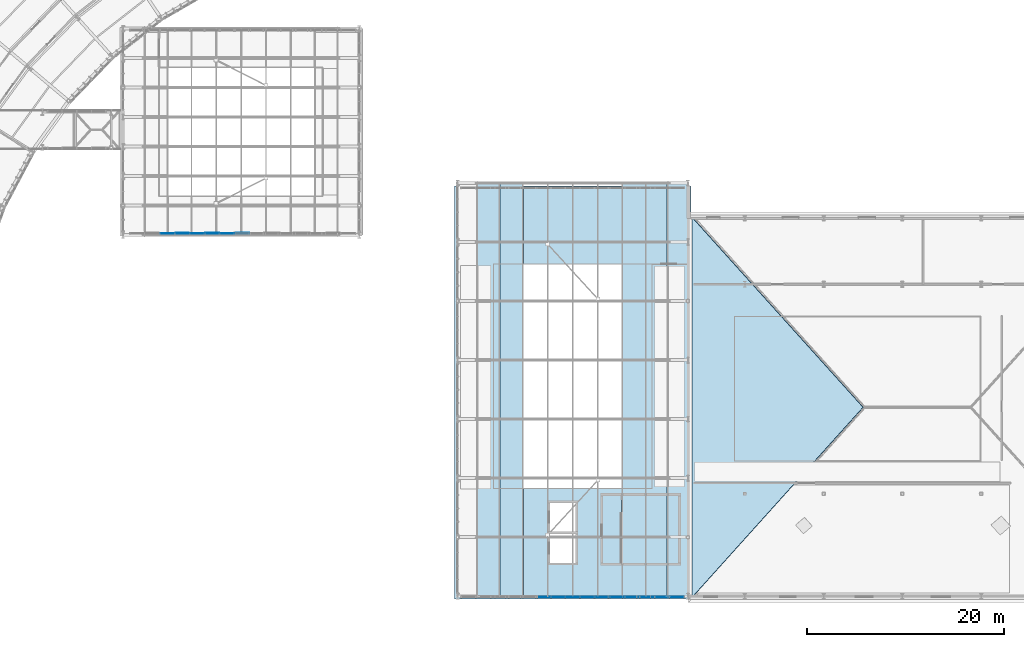
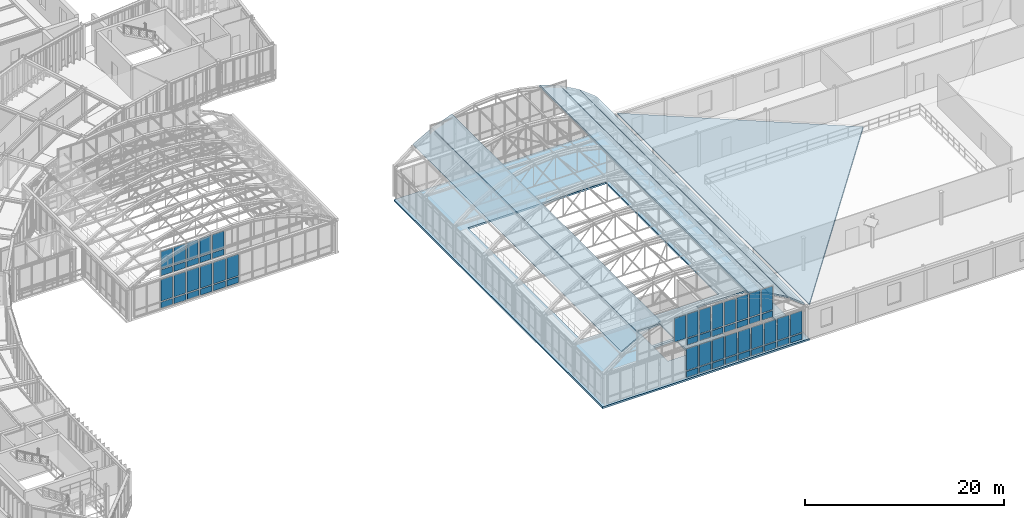
# One storey, part 98 of 148: 55 plates, 7 slabs, 4 elements without a shape of their own.
"""IFC4 building model written with IfcOpenShell, lengths in metres."""

import ifcopenshell
import ifcopenshell.guid

model = None  # the IFC model being written
_history = None  # IfcOwnerHistory: only IFC2X3 demands one
_inside = {}  # id of a spatial element -> (the spatial element, [elements in it])
_under = {}  # id of a project, library or spatial element -> (it, [spatial elements below it])
_declared = {}  # id of a project -> (the project, [libraries it declares])
_typed = {}  # id of a type object -> (the type object, [elements of that type])
_made_of = {}  # id of a material, layer set ... -> (it, [elements and type objects made of it])


def new_model(schema):
    """Start an empty IFC model of exactly this schema.

    Asked for "IFC4X3", IfcOpenShell would pick the latest addendum, in which some entities
    have other attributes; the version numbers below select the first issue.
    IFC2X3 requires an IfcOwnerHistory on every rooted entity: one is made here for all.
    """
    global model, _history
    if schema == "IFC4X3":
        model = ifcopenshell.file(schema_version=(4, 3, 0, 0))
    else:
        model = ifcopenshell.file(schema=schema)
    _inside.clear()
    _under.clear()
    _declared.clear()
    _typed.clear()
    _made_of.clear()
    _history = None
    if model.schema == "IFC2X3":
        org = make("IfcOrganization", Name="unknown")
        user = make(
            "IfcPersonAndOrganization",
            ThePerson=make("IfcPerson", FamilyName="unknown"),
            TheOrganization=org,
        )
        app = make(
            "IfcApplication",
            ApplicationDeveloper=org,
            Version="unknown",
            ApplicationFullName="unknown",
            ApplicationIdentifier="unknown",
        )
        _history = make(
            "IfcOwnerHistory",
            OwningUser=user,
            OwningApplication=app,
            ChangeAction="ADDED",
            CreationDate=0,
        )
    return model


def make(cls, **values):
    """One entity of the class cls with the attributes given. An attribute that is None is left unset."""
    return model.create_entity(
        cls, **{name: value for name, value in values.items() if value is not None}
    )


def rooted(cls, **values):
    """An entity with a GlobalId (a new one), such as an element, a storey or a relation."""
    return make(cls, GlobalId=ifcopenshell.guid.new(), OwnerHistory=_history, **values)


def si_unit(unit_type, name, prefix=None):
    """IfcSIUnit, for example si_unit("LENGTHUNIT", "METRE", prefix="MILLI")."""
    return make("IfcSIUnit", UnitType=unit_type, Prefix=prefix, Name=name)


def assignment(units):
    """IfcUnitAssignment: the units of a project."""
    return None if units is None else make("IfcUnitAssignment", Units=units)


def point(xyz):
    """IfcCartesianPoint."""
    return None if xyz is None else make("IfcCartesianPoint", Coordinates=xyz)


def direction(xyz):
    """IfcDirection."""
    return None if xyz is None else make("IfcDirection", DirectionRatios=xyz)


def frame(location, z_axis=None, x_axis=None):
    """IfcAxis2Placement3D, a coordinate frame: its origin and axes. An axis left out is left unset."""
    return make(
        "IfcAxis2Placement3D",
        Location=point(location),
        Axis=direction(z_axis),
        RefDirection=direction(x_axis),
    )


def frame_2d(location, x_axis=None):
    """IfcAxis2Placement2D, a coordinate frame in the plane: its origin and x axis."""
    return make(
        "IfcAxis2Placement2D", Location=point(location), RefDirection=direction(x_axis)
    )


def origin():
    """The frame at (0, 0, 0) with its axes left unset."""
    return frame((0.0, 0.0, 0.0))


def origin_2d():
    """The frame at (0, 0) in the plane with its x axis left unset."""
    return frame_2d((0.0, 0.0))


def place(relative_to, where):
    """IfcLocalPlacement: puts the frame where relative to a parent placement (None: the world)."""
    return make(
        "IfcLocalPlacement", PlacementRelTo=relative_to, RelativePlacement=where
    )


def context(
    kind, dimensions, precision=None, world=None, true_north=None, identifier=None
):
    """IfcGeometricRepresentationContext, for example the 3D "Model" context."""
    return make(
        "IfcGeometricRepresentationContext",
        ContextIdentifier=identifier,
        ContextType=kind,
        CoordinateSpaceDimension=dimensions,
        Precision=precision,
        WorldCoordinateSystem=world,
        TrueNorth=true_north,
    )


def subcontext(parent, identifier, kind, view, scale=None):
    """IfcGeometricRepresentationSubContext, for example "Body" below "Model"."""
    return make(
        "IfcGeometricRepresentationSubContext",
        ContextIdentifier=identifier,
        ContextType=kind,
        ParentContext=parent,
        TargetScale=scale,
        TargetView=view,
    )


def project(units=None, contexts=None):
    """IfcProject with its units and contexts."""
    return rooted(
        "IfcProject",
        Name="project",
        RepresentationContexts=contexts,
        UnitsInContext=assignment(units),
    )


def spatial(cls, under=None, at=None, **own):
    """A site, building, storey or space (cls), placed at a placement, below another one or the project."""
    s = rooted(cls, ObjectPlacement=at, **own)
    if under is not None:
        _under.setdefault(under.id(), (under, []))[1].append(s)
    return s


def polyline(points):
    """IfcPolyline through the points."""
    return make("IfcPolyline", Points=[point(p) for p in points])


def profile(cls, at=None, kind="AREA", **sizes):
    """A parametric profile (cls). Its sizes go by their IFC names, for example OverallWidth=200.0."""
    return make(cls, ProfileType=kind, Position=at, **sizes)


def rectangle(**sizes):
    """IfcRectangleProfileDef."""
    return profile("IfcRectangleProfileDef", **sizes)


def outline(outer, holes=None, kind="AREA"):
    """IfcArbitraryClosedProfileDef: a profile drawn as a closed curve; with holes, ...WithVoids."""
    if holes is None:
        return make("IfcArbitraryClosedProfileDef", ProfileType=kind, OuterCurve=outer)
    return make(
        "IfcArbitraryProfileDefWithVoids",
        ProfileType=kind,
        OuterCurve=outer,
        InnerCurves=holes,
    )


def extrude(swept, where, along, depth):
    """IfcExtrudedAreaSolid: the profile swept, set in the frame where, extruded along a direction by depth."""
    return make(
        "IfcExtrudedAreaSolid",
        SweptArea=swept,
        Position=where,
        ExtrudedDirection=direction(along),
        Depth=depth,
    )


def shape(context_of_items, identifier, shape_type, items):
    """IfcShapeRepresentation: the items that make up one representation, for example the "Body"."""
    return make(
        "IfcShapeRepresentation",
        ContextOfItems=context_of_items,
        RepresentationIdentifier=identifier,
        RepresentationType=shape_type,
        Items=items,
    )


def material(Name=None, Category=None):
    """IfcMaterial."""
    return make("IfcMaterial", Name=Name, Category=Category)


def layer(
    of_material, thickness, ventilated=None, Name=None, Category=None, Priority=None
):
    """IfcMaterialLayer: one layer of a wall or slab, of a material (None: an air gap)."""
    return make(
        "IfcMaterialLayer",
        Material=of_material,
        LayerThickness=thickness,
        IsVentilated=ventilated,
        Name=Name,
        Category=Category,
        Priority=Priority,
    )


def layer_set(layers, Name=None):
    """IfcMaterialLayerSet."""
    return make("IfcMaterialLayerSet", MaterialLayers=layers, LayerSetName=Name)


def made_of(thing, what):
    """Note that an element or type object is made of a material, layer set ...; save() writes the relation."""
    if what is not None:
        _made_of.setdefault(what.id(), (what, []))[1].append(thing)
    return thing


def type_object(cls, material=None, **own):
    """A type object (cls), such as IfcWallType, which elements share."""
    return made_of(rooted(cls, **own), material)


def element(
    cls,
    number,
    at=None,
    inside=None,
    cuts=None,
    type_object=None,
    material=None,
    context=None,
    identifier="Body",
    shape_type=None,
    held_by="IfcProductDefinitionShape",
    body=None,
    shapes=None,
    **own,
):
    """One element of the class cls, such as IfcWall. Its Tag is "e" and its number.

    at: its placement. inside: the storey or other place that contains it. cuts: it is an
    opening in that element (IfcRelVoidsElement). A single representation is given by context,
    identifier, shape_type and body (its items); several are given by shapes. held_by: the class
    of the entity that holds the representations. save() writes the other relations.
    """
    e = rooted(cls, Tag="e%d" % number, ObjectPlacement=at, **own)
    if body is not None:
        shapes = [shape(context, identifier, shape_type, body)]
    if shapes is not None:
        e.Representation = make(held_by, Representations=shapes)
    if inside is not None:
        _inside.setdefault(inside.id(), (inside, []))[1].append(e)
    if cuts is not None:
        rooted(
            "IfcRelVoidsElement", RelatingBuildingElement=cuts, RelatedOpeningElement=e
        )
    if type_object is not None:
        _typed.setdefault(type_object.id(), (type_object, []))[1].append(e)
    return made_of(e, material)


def aggregate(whole, parts):
    """IfcRelAggregates: a whole, such as a stair, and the parts it consists of."""
    return rooted("IfcRelAggregates", RelatingObject=whole, RelatedObjects=parts)


def save(model, path):
    """Write the relations noted so far, then the file.

    IfcRelAggregates (storeys below a building ...), IfcRelContainedInSpatialStructure (elements
    in a storey), IfcRelDefinesByType, IfcRelAssociatesMaterial and IfcRelDeclares: one each for
    every whole, place, type object, material and project.
    """
    for whole, parts in _under.values():
        aggregate(whole, parts)
    for where, things in _inside.values():
        rooted(
            "IfcRelContainedInSpatialStructure",
            RelatedElements=things,
            RelatingStructure=where,
        )
    for kind, things in _typed.values():
        rooted("IfcRelDefinesByType", RelatedObjects=things, RelatingType=kind)
    for what, things in _made_of.values():
        rooted("IfcRelAssociatesMaterial", RelatedObjects=things, RelatingMaterial=what)
    for by, libraries in _declared.values():
        rooted("IfcRelDeclares", RelatingContext=by, RelatedDefinitions=libraries)
    model.write(path)


model = new_model("IFC4")

# Units and contexts
model_context = context("Model", 3, precision=1e-05, world=origin(), true_north=direction((0.0, 1.0)))
body_context = subcontext(model_context, "Body", "Model", "MODEL_VIEW")
ifc_project = project(units=[si_unit("LENGTHUNIT", "METRE"), si_unit("AREAUNIT", "SQUARE_METRE"), si_unit("VOLUMEUNIT", "CUBIC_METRE"), si_unit("PLANEANGLEUNIT", "RADIAN"), si_unit("MASSUNIT", "GRAM", prefix="KILO"), si_unit("THERMODYNAMICTEMPERATUREUNIT", "KELVIN"), si_unit("POWERUNIT", "WATT")], contexts=[model_context])

# Site, building, storey
site_placement = place(None, origin())
site = spatial("IfcSite", under=ifc_project, at=site_placement, CompositionType="ELEMENT")
building_placement = place(site_placement, origin())
building = spatial("IfcBuilding", under=site, at=building_placement, Name="Solvatero Civic Police Headquarters", CompositionType="ELEMENT")
storey_placement = place(building_placement, frame((0.0, 0.0, 5.10009765625)))
storey = spatial("IfcBuildingStorey", under=building, at=storey_placement, Name="L01", CompositionType="ELEMENT", Elevation=5.10009765625)

# Curtain wall, plates
ifc_material_1 = material(Name="Anodized Bronze Aluminium", Category="aluminium")
ifc_layer_1 = layer(ifc_material_1, 0.179931640625)
ifc_layer_set_1 = layer_set([ifc_layer_1], Name="Anodized Bronze Aluminium")
curtain_wall_type_1 = type_object("IfcCurtainWallType", Name="CW-HAL-GLZ", PredefinedType="USERDEFINED", material=ifc_layer_set_1)
curtain_wall_1_placement = place(storey_placement, origin())
curtain_wall_1 = element("IfcCurtainWall", 1, at=curtain_wall_1_placement, inside=storey, type_object=curtain_wall_type_1, Name="Curtain Wall CW-R2-L01-V2-S", ObjectType="UNITISED", PredefinedType="USERDEFINED")
ifc_material_2 = material(Name="Triple Low-E Laminated Glass", Category="glass")
ifc_layer_2 = layer(ifc_material_2, 0.0380859375)
ifc_layer_set_2 = layer_set([ifc_layer_2], Name="Triple Low-E Laminated Glass")
plate_type_1 = type_object("IfcPlateType", Name="CWP-GLZ-38", PredefinedType="CURTAIN_PANEL", material=ifc_layer_set_2)
plate_1_placement = place(storey_placement, frame((69.293212890625, 41.679931640625, 0.909912109375), z_axis=(0.0, 0.0, 1.0), x_axis=(1.0, 0.0, 0.0)))
plate_1 = element("IfcPlate", 2, at=plate_1_placement, type_object=plate_type_1, Name="CW-R2-L01-V2-S Vision Glazing 3", PredefinedType="CURTAIN_PANEL", context=body_context, shape_type="SweptSolid", body=[
    extrude(rectangle(XDim=1.353271484375, YDim=0.0380859375, at=origin_2d()), origin(), (0.0, 0.0, 1.0), 2.64990234375),
])
plate_2_placement = place(storey_placement, frame((72.360107421875, 41.679931640625, 0.909912109375), z_axis=(0.0, 0.0, 1.0), x_axis=(1.0, 0.0, 0.0)))
plate_2 = element("IfcPlate", 3, at=plate_2_placement, type_object=plate_type_1, Name="CW-R2-L01-V2-S Vision Glazing 5", PredefinedType="CURTAIN_PANEL", context=body_context, shape_type="SweptSolid", body=[
    extrude(rectangle(XDim=1.353271484375, YDim=0.0380859375, at=origin_2d()), origin(), (0.0, 0.0, 1.0), 2.64990234375),
])
plate_3_placement = place(storey_placement, frame((75.4267578125, 41.679931640625, 0.909912109375), z_axis=(0.0, 0.0, 1.0), x_axis=(1.0, 0.0, 0.0)))
plate_3 = element("IfcPlate", 4, at=plate_3_placement, type_object=plate_type_1, Name="CW-R2-L01-V2-S Vision Glazing 7", PredefinedType="CURTAIN_PANEL", context=body_context, shape_type="SweptSolid", body=[
    extrude(rectangle(XDim=1.353271484375, YDim=0.0380859375, at=origin_2d()), origin(), (0.0, 0.0, 1.0), 2.64990234375),
])

ifc_layer_3 = layer(ifc_material_1, 0.179931640625)
ifc_layer_set_3 = layer_set([ifc_layer_3], Name="Anodized Bronze Aluminium")
curtain_wall_type_2 = type_object("IfcCurtainWallType", Name="CW-VLT-TYMP", PredefinedType="USERDEFINED", material=ifc_layer_set_3)
curtain_wall_2_placement = place(storey_placement, origin())
curtain_wall_2 = element("IfcCurtainWall", 5, at=curtain_wall_2_placement, inside=storey, type_object=curtain_wall_type_2, Name="Curtain Wall CW-R2-L01-VLT2-S", ObjectType="UNITISED", PredefinedType="USERDEFINED")
plate_4_placement = place(storey_placement, frame((69.30908203125, 41.679931640625, 4.889892578125), z_axis=(0.0, 0.0, 1.0), x_axis=(1.0, 0.0, 0.0)))
plate_4 = element("IfcPlate", 6, at=plate_4_placement, type_object=plate_type_1, Name="CW-R2-L01-VLT2-S Vision Glazing 1", PredefinedType="CURTAIN_PANEL", context=body_context, shape_type="SweptSolid", body=[
    extrude(rectangle(XDim=1.318115234375, YDim=0.0380859375, at=origin_2d()), origin(), (0.0, 0.0, 1.0), 2.10009765625),
])
plate_5_placement = place(storey_placement, frame((72.305419921875, 41.679931640625, 4.889892578125), z_axis=(0.0, 0.0, 1.0), x_axis=(1.0, 0.0, 0.0)))
plate_5 = element("IfcPlate", 7, at=plate_5_placement, type_object=plate_type_1, Name="CW-R2-L01-VLT2-S Vision Glazing 3", PredefinedType="CURTAIN_PANEL", context=body_context, shape_type="SweptSolid", body=[
    extrude(rectangle(XDim=1.318115234375, YDim=0.0380859375, at=origin_2d()), origin(), (0.0, 0.0, 1.0), 2.10009765625),
])
plate_6_placement = place(storey_placement, frame((75.3017578125, 41.679931640625, 4.889892578125), z_axis=(0.0, 0.0, 1.0), x_axis=(1.0, 0.0, 0.0)))
plate_6 = element("IfcPlate", 8, at=plate_6_placement, type_object=plate_type_1, Name="CW-R2-L01-VLT2-S Vision Glazing 5", PredefinedType="CURTAIN_PANEL", context=body_context, shape_type="SweptSolid", body=[
    extrude(rectangle(XDim=1.318115234375, YDim=0.0380859375, at=origin_2d()), origin(), (0.0, 0.0, 1.0), 2.10009765625),
])

curtain_wall_3_placement = place(storey_placement, origin())
curtain_wall_3 = element("IfcCurtainWall", 9, at=curtain_wall_3_placement, inside=storey, type_object=curtain_wall_type_1, Name="Curtain Wall CW-R2-L01-V1-S", ObjectType="UNITISED", PredefinedType="USERDEFINED")
plate_7_placement = place(storey_placement, frame((110.5, 4.719970703125, 0.909912109375), z_axis=(0.0, 0.0, 1.0), x_axis=(1.0, 0.0, 0.0)))
plate_7 = element("IfcPlate", 10, at=plate_7_placement, type_object=plate_type_1, Name="CW-R2-L01-V1-S Vision Glazing 8", PredefinedType="CURTAIN_PANEL", context=body_context, shape_type="SweptSolid", body=[
    extrude(rectangle(XDim=1.334716796875, YDim=0.0380859375, at=origin_2d()), origin(), (0.0, 0.0, 1.0), 2.64990234375),
])
plate_8_placement = place(storey_placement, frame((113.529296875, 4.719970703125, 0.909912109375), z_axis=(0.0, 0.0, 1.0), x_axis=(1.0, 0.0, 0.0)))
plate_8 = element("IfcPlate", 11, at=plate_8_placement, type_object=plate_type_1, Name="CW-R2-L01-V1-S Vision Glazing 10", PredefinedType="CURTAIN_PANEL", context=body_context, shape_type="SweptSolid", body=[
    extrude(rectangle(XDim=1.334716796875, YDim=0.0380859375, at=origin_2d()), origin(), (0.0, 0.0, 1.0), 2.64990234375),
])
plate_9_placement = place(storey_placement, frame((116.55859375, 4.719970703125, 0.909912109375), z_axis=(0.0, 0.0, 1.0), x_axis=(1.0, 0.0, 0.0)))
plate_9 = element("IfcPlate", 12, at=plate_9_placement, type_object=plate_type_1, Name="CW-R2-L01-V1-S Vision Glazing 12", PredefinedType="CURTAIN_PANEL", context=body_context, shape_type="SweptSolid", body=[
    extrude(rectangle(XDim=1.334716796875, YDim=0.0380859375, at=origin_2d()), origin(), (0.0, 0.0, 1.0), 2.64990234375),
])
plate_10_placement = place(storey_placement, frame((119.587890625, 4.719970703125, 0.909912109375), z_axis=(0.0, 0.0, 1.0), x_axis=(1.0, 0.0, 0.0)))
plate_10 = element("IfcPlate", 13, at=plate_10_placement, type_object=plate_type_1, Name="CW-R2-L01-V1-S Vision Glazing 14", PredefinedType="CURTAIN_PANEL", context=body_context, shape_type="SweptSolid", body=[
    extrude(rectangle(XDim=1.334716796875, YDim=0.0380859375, at=origin_2d()), origin(), (0.0, 0.0, 1.0), 2.64990234375),
])

curtain_wall_4_placement = place(storey_placement, origin())
curtain_wall_4 = element("IfcCurtainWall", 14, at=curtain_wall_4_placement, inside=storey, type_object=curtain_wall_type_2, Name="Curtain Wall CW-R2-L01-VLT1-S", ObjectType="UNITISED", PredefinedType="USERDEFINED")
plate_11_placement = place(storey_placement, frame((107.61279296875, 4.719970703125, 4.889892578125), z_axis=(0.0, 0.0, 1.0), x_axis=(1.0, 0.0, 0.0)))
plate_11 = element("IfcPlate", 15, at=plate_11_placement, type_object=plate_type_1, Name="CW-R2-L01-VLT1-S Vision Glazing 4", PredefinedType="CURTAIN_PANEL", context=body_context, shape_type="SweptSolid", body=[
    extrude(rectangle(XDim=1.263671875, YDim=0.0380859375, at=origin_2d()), origin(), (0.0, 0.0, 1.0), 2.89990234375),
])
plate_12_placement = place(storey_placement, frame((110.5, 4.719970703125, 4.889892578125), z_axis=(0.0, 0.0, 1.0), x_axis=(1.0, 0.0, 0.0)))
plate_12 = element("IfcPlate", 16, at=plate_12_placement, type_object=plate_type_1, Name="CW-R2-L01-VLT1-S Vision Glazing 6", PredefinedType="CURTAIN_PANEL", context=body_context, shape_type="SweptSolid", body=[
    extrude(rectangle(XDim=1.263671875, YDim=0.0380859375, at=origin_2d()), origin(), (0.0, 0.0, 1.0), 2.89990234375),
])
plate_13_placement = place(storey_placement, frame((113.38720703125, 4.719970703125, 4.889892578125), z_axis=(0.0, 0.0, 1.0), x_axis=(1.0, 0.0, 0.0)))
plate_13 = element("IfcPlate", 17, at=plate_13_placement, type_object=plate_type_1, Name="CW-R2-L01-VLT1-S Vision Glazing 8", PredefinedType="CURTAIN_PANEL", context=body_context, shape_type="SweptSolid", body=[
    extrude(rectangle(XDim=1.263671875, YDim=0.0380859375, at=origin_2d()), origin(), (0.0, 0.0, 1.0), 2.89990234375),
])
plate_14_placement = place(storey_placement, frame((116.2744140625, 4.719970703125, 4.889892578125), z_axis=(0.0, 0.0, 1.0), x_axis=(1.0, 0.0, 0.0)))
plate_14 = element("IfcPlate", 18, at=plate_14_placement, type_object=plate_type_1, Name="CW-R2-L01-VLT1-S Vision Glazing 10", PredefinedType="CURTAIN_PANEL", context=body_context, shape_type="SweptSolid", body=[
    extrude(rectangle(XDim=1.263671875, YDim=0.0380859375, at=origin_2d()), origin(), (0.0, 0.0, 1.0), 2.89990234375),
])

# Plate
ifc_material_3 = material(Name="Acoustic Ballistic Laminated Glass", Category="glass")
ifc_layer_4 = layer(ifc_material_3, 0.0439453125)
ifc_layer_set_4 = layer_set([ifc_layer_4], Name="Acoustic Ballistic Laminated Glass")
plate_type_2 = type_object("IfcPlateType", Name="CWP-GLZ-44", PredefinedType="CURTAIN_PANEL", material=ifc_layer_set_4)
plate_15_placement = place(storey_placement, frame((70.82666015625, 41.679931640625, 0.909912109375), z_axis=(0.0, 0.0, 1.0), x_axis=(1.0, 0.0, 0.0)))
plate_15 = element("IfcPlate", 19, at=plate_15_placement, type_object=plate_type_2, Name="CW-R2-L01-V2-S Vision Glazing 4", PredefinedType="CURTAIN_PANEL", context=body_context, shape_type="SweptSolid", body=[
    extrude(rectangle(XDim=1.353271484375, YDim=0.0439453125, at=origin_2d()), origin(), (0.0, 0.0, 1.0), 2.64990234375),
])

plate_16_placement = place(storey_placement, frame((73.893310546875, 41.679931640625, 0.909912109375), z_axis=(0.0, 0.0, 1.0), x_axis=(1.0, 0.0, 0.0)))
plate_16 = element("IfcPlate", 20, at=plate_16_placement, type_object=plate_type_2, Name="CW-R2-L01-V2-S Vision Glazing 6", PredefinedType="CURTAIN_PANEL", context=body_context, shape_type="SweptSolid", body=[
    extrude(rectangle(XDim=1.353271484375, YDim=0.0439453125, at=origin_2d()), origin(), (0.0, 0.0, 1.0), 2.64990234375),
])

plate_17_placement = place(storey_placement, frame((76.9599609375, 41.679931640625, 0.909912109375), z_axis=(0.0, 0.0, 1.0), x_axis=(1.0, 0.0, 0.0)))
plate_17 = element("IfcPlate", 21, at=plate_17_placement, type_object=plate_type_2, Name="CW-R2-L01-V2-S Vision Glazing 8", PredefinedType="CURTAIN_PANEL", context=body_context, shape_type="SweptSolid", body=[
    extrude(rectangle(XDim=1.353271484375, YDim=0.0439453125, at=origin_2d()), origin(), (0.0, 0.0, 1.0), 2.64990234375),
])

plate_18_placement = place(storey_placement, frame((70.807373046875, 41.679931640625, 4.889892578125), z_axis=(0.0, 0.0, 1.0), x_axis=(1.0, 0.0, 0.0)))
plate_18 = element("IfcPlate", 22, at=plate_18_placement, type_object=plate_type_2, Name="CW-R2-L01-VLT2-S Vision Glazing 2", PredefinedType="CURTAIN_PANEL", context=body_context, shape_type="SweptSolid", body=[
    extrude(rectangle(XDim=1.318115234375, YDim=0.0439453125, at=origin_2d()), origin(), (0.0, 0.0, 1.0), 2.10009765625),
])

plate_19_placement = place(storey_placement, frame((73.8037109375, 41.679931640625, 4.889892578125), z_axis=(0.0, 0.0, 1.0), x_axis=(1.0, 0.0, 0.0)))
plate_19 = element("IfcPlate", 23, at=plate_19_placement, type_object=plate_type_2, Name="CW-R2-L01-VLT2-S Vision Glazing 4", PredefinedType="CURTAIN_PANEL", context=body_context, shape_type="SweptSolid", body=[
    extrude(rectangle(XDim=1.318115234375, YDim=0.0439453125, at=origin_2d()), origin(), (0.0, 0.0, 1.0), 2.10009765625),
])

plate_20_placement = place(storey_placement, frame((108.9853515625, 4.719970703125, 0.909912109375), z_axis=(0.0, 0.0, 1.0), x_axis=(1.0, 0.0, 0.0)))
plate_20 = element("IfcPlate", 24, at=plate_20_placement, type_object=plate_type_2, Name="CW-R2-L01-V1-S Vision Glazing 7", PredefinedType="CURTAIN_PANEL", context=body_context, shape_type="SweptSolid", body=[
    extrude(rectangle(XDim=1.334716796875, YDim=0.0439453125, at=origin_2d()), origin(), (0.0, 0.0, 1.0), 2.64990234375),
])

plate_21_placement = place(storey_placement, frame((112.0146484375, 4.719970703125, 0.909912109375), z_axis=(0.0, 0.0, 1.0), x_axis=(1.0, 0.0, 0.0)))
plate_21 = element("IfcPlate", 25, at=plate_21_placement, type_object=plate_type_2, Name="CW-R2-L01-V1-S Vision Glazing 9", PredefinedType="CURTAIN_PANEL", context=body_context, shape_type="SweptSolid", body=[
    extrude(rectangle(XDim=1.334716796875, YDim=0.0439453125, at=origin_2d()), origin(), (0.0, 0.0, 1.0), 2.64990234375),
])

plate_22_placement = place(storey_placement, frame((115.0439453125, 4.719970703125, 0.909912109375), z_axis=(0.0, 0.0, 1.0), x_axis=(1.0, 0.0, 0.0)))
plate_22 = element("IfcPlate", 26, at=plate_22_placement, type_object=plate_type_2, Name="CW-R2-L01-V1-S Vision Glazing 11", PredefinedType="CURTAIN_PANEL", context=body_context, shape_type="SweptSolid", body=[
    extrude(rectangle(XDim=1.334716796875, YDim=0.0439453125, at=origin_2d()), origin(), (0.0, 0.0, 1.0), 2.64990234375),
])

plate_23_placement = place(storey_placement, frame((118.0732421875, 4.719970703125, 0.909912109375), z_axis=(0.0, 0.0, 1.0), x_axis=(1.0, 0.0, 0.0)))
plate_23 = element("IfcPlate", 27, at=plate_23_placement, type_object=plate_type_2, Name="CW-R2-L01-V1-S Vision Glazing 13", PredefinedType="CURTAIN_PANEL", context=body_context, shape_type="SweptSolid", body=[
    extrude(rectangle(XDim=1.334716796875, YDim=0.0439453125, at=origin_2d()), origin(), (0.0, 0.0, 1.0), 2.64990234375),
])

plate_24_placement = place(storey_placement, frame((121.102783203125, 4.719970703125, 0.909912109375), z_axis=(0.0, 0.0, 1.0), x_axis=(1.0, 0.0, 0.0)))
plate_24 = element("IfcPlate", 28, at=plate_24_placement, type_object=plate_type_2, Name="CW-R2-L01-V1-S Vision Glazing 15", PredefinedType="CURTAIN_PANEL", context=body_context, shape_type="SweptSolid", body=[
    extrude(rectangle(XDim=1.334716796875, YDim=0.0439453125, at=origin_2d()), origin(), (0.0, 0.0, 1.0), 2.64990234375),
])

plate_25_placement = place(storey_placement, frame((109.056396484375, 4.719970703125, 4.889892578125), z_axis=(0.0, 0.0, 1.0), x_axis=(1.0, 0.0, 0.0)))
plate_25 = element("IfcPlate", 29, at=plate_25_placement, type_object=plate_type_2, Name="CW-R2-L01-VLT1-S Vision Glazing 5", PredefinedType="CURTAIN_PANEL", context=body_context, shape_type="SweptSolid", body=[
    extrude(rectangle(XDim=1.263671875, YDim=0.0439453125, at=origin_2d()), origin(), (0.0, 0.0, 1.0), 2.89990234375),
])

plate_26_placement = place(storey_placement, frame((111.943603515625, 4.719970703125, 4.889892578125), z_axis=(0.0, 0.0, 1.0), x_axis=(1.0, 0.0, 0.0)))
plate_26 = element("IfcPlate", 30, at=plate_26_placement, type_object=plate_type_2, Name="CW-R2-L01-VLT1-S Vision Glazing 7", PredefinedType="CURTAIN_PANEL", context=body_context, shape_type="SweptSolid", body=[
    extrude(rectangle(XDim=1.263671875, YDim=0.0439453125, at=origin_2d()), origin(), (0.0, 0.0, 1.0), 2.89990234375),
])

plate_27_placement = place(storey_placement, frame((114.830810546875, 4.719970703125, 4.889892578125), z_axis=(0.0, 0.0, 1.0), x_axis=(1.0, 0.0, 0.0)))
plate_27 = element("IfcPlate", 31, at=plate_27_placement, type_object=plate_type_2, Name="CW-R2-L01-VLT1-S Vision Glazing 9", PredefinedType="CURTAIN_PANEL", context=body_context, shape_type="SweptSolid", body=[
    extrude(rectangle(XDim=1.263671875, YDim=0.0439453125, at=origin_2d()), origin(), (0.0, 0.0, 1.0), 2.89990234375),
])

plate_28_placement = place(storey_placement, frame((117.71826171875, 4.719970703125, 4.889892578125), z_axis=(0.0, 0.0, 1.0), x_axis=(1.0, 0.0, 0.0)))
plate_28 = element("IfcPlate", 32, at=plate_28_placement, type_object=plate_type_2, Name="CW-R2-L01-VLT1-S Vision Glazing 11", PredefinedType="CURTAIN_PANEL", context=body_context, shape_type="SweptSolid", body=[
    extrude(rectangle(XDim=1.263671875, YDim=0.0439453125, at=origin_2d()), origin(), (0.0, 0.0, 1.0), 2.89990234375),
])

ifc_material_4 = material(Name="Insulated Bronze Aluminium Spandrel", Category="aluminium")
ifc_layer_5 = layer(ifc_material_4, 0.06005859375)
ifc_layer_set_5 = layer_set([ifc_layer_5], Name="Insulated Bronze Aluminium Spandrel")
plate_type_3 = type_object("IfcPlateType", Name="CWP-SPN-60", PredefinedType="CURTAIN_PANEL", material=ifc_layer_set_5)
plate_29_placement = place(storey_placement, frame((69.293212890625, 41.679931640625, 0.059814453125), z_axis=(0.0, 0.0, 1.0), x_axis=(1.0, 0.0, 0.0)))
plate_29 = element("IfcPlate", 33, at=plate_29_placement, type_object=plate_type_3, Name="CW-R2-L01-V2-S Spandrel Panel 3", PredefinedType="CURTAIN_PANEL", context=body_context, shape_type="SweptSolid", body=[
    extrude(rectangle(XDim=1.353271484375, YDim=0.06005859375, at=origin_2d()), origin(), (0.0, 0.0, 1.0), 0.72998046875),
])

plate_30_placement = place(storey_placement, frame((72.360107421875, 41.679931640625, 0.059814453125), z_axis=(0.0, 0.0, 1.0), x_axis=(1.0, 0.0, 0.0)))
plate_30 = element("IfcPlate", 34, at=plate_30_placement, type_object=plate_type_3, Name="CW-R2-L01-V2-S Spandrel Panel 5", PredefinedType="CURTAIN_PANEL", context=body_context, shape_type="SweptSolid", body=[
    extrude(rectangle(XDim=1.353271484375, YDim=0.06005859375, at=origin_2d()), origin(), (0.0, 0.0, 1.0), 0.72998046875),
])

plate_31_placement = place(storey_placement, frame((75.4267578125, 41.679931640625, 0.059814453125), z_axis=(0.0, 0.0, 1.0), x_axis=(1.0, 0.0, 0.0)))
plate_31 = element("IfcPlate", 35, at=plate_31_placement, type_object=plate_type_3, Name="CW-R2-L01-V2-S Spandrel Panel 7", PredefinedType="CURTAIN_PANEL", context=body_context, shape_type="SweptSolid", body=[
    extrude(rectangle(XDim=1.353271484375, YDim=0.06005859375, at=origin_2d()), origin(), (0.0, 0.0, 1.0), 0.72998046875),
])

plate_32_placement = place(storey_placement, frame((69.30908203125, 41.679931640625, 4.039794921875), z_axis=(0.0, 0.0, 1.0), x_axis=(1.0, 0.0, 0.0)))
plate_32 = element("IfcPlate", 36, at=plate_32_placement, type_object=plate_type_3, Name="CW-R2-L01-VLT2-S Spandrel Panel 1", PredefinedType="CURTAIN_PANEL", context=body_context, shape_type="SweptSolid", body=[
    extrude(rectangle(XDim=1.318115234375, YDim=0.06005859375, at=origin_2d()), origin(), (0.0, 0.0, 1.0), 0.72998046875),
])

plate_33_placement = place(storey_placement, frame((72.305419921875, 41.679931640625, 4.039794921875), z_axis=(0.0, 0.0, 1.0), x_axis=(1.0, 0.0, 0.0)))
plate_33 = element("IfcPlate", 37, at=plate_33_placement, type_object=plate_type_3, Name="CW-R2-L01-VLT2-S Spandrel Panel 3", PredefinedType="CURTAIN_PANEL", context=body_context, shape_type="SweptSolid", body=[
    extrude(rectangle(XDim=1.318115234375, YDim=0.06005859375, at=origin_2d()), origin(), (0.0, 0.0, 1.0), 0.72998046875),
])

plate_34_placement = place(storey_placement, frame((75.3017578125, 41.679931640625, 4.039794921875), z_axis=(0.0, 0.0, 1.0), x_axis=(1.0, 0.0, 0.0)))
plate_34 = element("IfcPlate", 38, at=plate_34_placement, type_object=plate_type_3, Name="CW-R2-L01-VLT2-S Spandrel Panel 5", PredefinedType="CURTAIN_PANEL", context=body_context, shape_type="SweptSolid", body=[
    extrude(rectangle(XDim=1.318115234375, YDim=0.06005859375, at=origin_2d()), origin(), (0.0, 0.0, 1.0), 0.72998046875),
])

plate_35_placement = place(storey_placement, frame((110.5, 4.719970703125, 0.059814453125), z_axis=(0.0, 0.0, 1.0), x_axis=(1.0, 0.0, 0.0)))
plate_35 = element("IfcPlate", 39, at=plate_35_placement, type_object=plate_type_3, Name="CW-R2-L01-V1-S Spandrel Panel 8", PredefinedType="CURTAIN_PANEL", context=body_context, shape_type="SweptSolid", body=[
    extrude(rectangle(XDim=1.334716796875, YDim=0.06005859375, at=origin_2d()), origin(), (0.0, 0.0, 1.0), 0.72998046875),
])

plate_36_placement = place(storey_placement, frame((113.529296875, 4.719970703125, 0.059814453125), z_axis=(0.0, 0.0, 1.0), x_axis=(1.0, 0.0, 0.0)))
plate_36 = element("IfcPlate", 40, at=plate_36_placement, type_object=plate_type_3, Name="CW-R2-L01-V1-S Spandrel Panel 10", PredefinedType="CURTAIN_PANEL", context=body_context, shape_type="SweptSolid", body=[
    extrude(rectangle(XDim=1.334716796875, YDim=0.06005859375, at=origin_2d()), origin(), (0.0, 0.0, 1.0), 0.72998046875),
])

plate_37_placement = place(storey_placement, frame((116.55859375, 4.719970703125, 0.059814453125), z_axis=(0.0, 0.0, 1.0), x_axis=(1.0, 0.0, 0.0)))
plate_37 = element("IfcPlate", 41, at=plate_37_placement, type_object=plate_type_3, Name="CW-R2-L01-V1-S Spandrel Panel 12", PredefinedType="CURTAIN_PANEL", context=body_context, shape_type="SweptSolid", body=[
    extrude(rectangle(XDim=1.334716796875, YDim=0.06005859375, at=origin_2d()), origin(), (0.0, 0.0, 1.0), 0.72998046875),
])

plate_38_placement = place(storey_placement, frame((119.587890625, 4.719970703125, 0.059814453125), z_axis=(0.0, 0.0, 1.0), x_axis=(1.0, 0.0, 0.0)))
plate_38 = element("IfcPlate", 42, at=plate_38_placement, type_object=plate_type_3, Name="CW-R2-L01-V1-S Spandrel Panel 14", PredefinedType="CURTAIN_PANEL", context=body_context, shape_type="SweptSolid", body=[
    extrude(rectangle(XDim=1.334716796875, YDim=0.06005859375, at=origin_2d()), origin(), (0.0, 0.0, 1.0), 0.72998046875),
])

plate_39_placement = place(storey_placement, frame((110.5, 4.719970703125, 4.039794921875), z_axis=(0.0, 0.0, 1.0), x_axis=(1.0, 0.0, 0.0)))
plate_39 = element("IfcPlate", 43, at=plate_39_placement, type_object=plate_type_3, Name="CW-R2-L01-VLT1-S Spandrel Panel 6", PredefinedType="CURTAIN_PANEL", context=body_context, shape_type="SweptSolid", body=[
    extrude(rectangle(XDim=1.263671875, YDim=0.06005859375, at=origin_2d()), origin(), (0.0, 0.0, 1.0), 0.72998046875),
])

plate_40_placement = place(storey_placement, frame((113.38720703125, 4.719970703125, 4.039794921875), z_axis=(0.0, 0.0, 1.0), x_axis=(1.0, 0.0, 0.0)))
plate_40 = element("IfcPlate", 44, at=plate_40_placement, type_object=plate_type_3, Name="CW-R2-L01-VLT1-S Spandrel Panel 8", PredefinedType="CURTAIN_PANEL", context=body_context, shape_type="SweptSolid", body=[
    extrude(rectangle(XDim=1.263671875, YDim=0.06005859375, at=origin_2d()), origin(), (0.0, 0.0, 1.0), 0.72998046875),
])

plate_41_placement = place(storey_placement, frame((116.2744140625, 4.719970703125, 4.039794921875), z_axis=(0.0, 0.0, 1.0), x_axis=(1.0, 0.0, 0.0)))
plate_41 = element("IfcPlate", 45, at=plate_41_placement, type_object=plate_type_3, Name="CW-R2-L01-VLT1-S Spandrel Panel 10", PredefinedType="CURTAIN_PANEL", context=body_context, shape_type="SweptSolid", body=[
    extrude(rectangle(XDim=1.263671875, YDim=0.06005859375, at=origin_2d()), origin(), (0.0, 0.0, 1.0), 0.72998046875),
])

ifc_material_5 = material(Name="Limestone Veneer Spandrel Panel", Category="masonry")
ifc_layer_6 = layer(ifc_material_5, 0.074951171875)
ifc_layer_set_6 = layer_set([ifc_layer_6], Name="Limestone Veneer Spandrel Panel")
plate_type_4 = type_object("IfcPlateType", Name="CWP-SPN-75", PredefinedType="CURTAIN_PANEL", material=ifc_layer_set_6)
plate_42_placement = place(storey_placement, frame((70.82666015625, 41.679931640625, 0.059814453125), z_axis=(0.0, 0.0, 1.0), x_axis=(1.0, 0.0, 0.0)))
plate_42 = element("IfcPlate", 46, at=plate_42_placement, type_object=plate_type_4, Name="CW-R2-L01-V2-S Spandrel Panel 4", PredefinedType="CURTAIN_PANEL", context=body_context, shape_type="SweptSolid", body=[
    extrude(rectangle(XDim=1.353271484375, YDim=0.074951171875, at=origin_2d()), origin(), (0.0, 0.0, 1.0), 0.72998046875),
])

plate_43_placement = place(storey_placement, frame((73.893310546875, 41.679931640625, 0.059814453125), z_axis=(0.0, 0.0, 1.0), x_axis=(1.0, 0.0, 0.0)))
plate_43 = element("IfcPlate", 47, at=plate_43_placement, type_object=plate_type_4, Name="CW-R2-L01-V2-S Spandrel Panel 6", PredefinedType="CURTAIN_PANEL", context=body_context, shape_type="SweptSolid", body=[
    extrude(rectangle(XDim=1.353271484375, YDim=0.074951171875, at=origin_2d()), origin(), (0.0, 0.0, 1.0), 0.72998046875),
])

plate_44_placement = place(storey_placement, frame((76.9599609375, 41.679931640625, 0.059814453125), z_axis=(0.0, 0.0, 1.0), x_axis=(1.0, 0.0, 0.0)))
plate_44 = element("IfcPlate", 48, at=plate_44_placement, type_object=plate_type_4, Name="CW-R2-L01-V2-S Spandrel Panel 8", PredefinedType="CURTAIN_PANEL", context=body_context, shape_type="SweptSolid", body=[
    extrude(rectangle(XDim=1.353271484375, YDim=0.074951171875, at=origin_2d()), origin(), (0.0, 0.0, 1.0), 0.72998046875),
])

aggregate(curtain_wall_1, [plate_29, plate_1, plate_42, plate_15, plate_30, plate_2, plate_43, plate_16, plate_31, plate_3, plate_44, plate_17])

plate_45_placement = place(storey_placement, frame((70.807373046875, 41.679931640625, 4.039794921875), z_axis=(0.0, 0.0, 1.0), x_axis=(1.0, 0.0, 0.0)))
plate_45 = element("IfcPlate", 49, at=plate_45_placement, type_object=plate_type_4, Name="CW-R2-L01-VLT2-S Spandrel Panel 2", PredefinedType="CURTAIN_PANEL", context=body_context, shape_type="SweptSolid", body=[
    extrude(rectangle(XDim=1.318115234375, YDim=0.074951171875, at=origin_2d()), origin(), (0.0, 0.0, 1.0), 0.72998046875),
])

plate_46_placement = place(storey_placement, frame((73.8037109375, 41.679931640625, 4.039794921875), z_axis=(0.0, 0.0, 1.0), x_axis=(1.0, 0.0, 0.0)))
plate_46 = element("IfcPlate", 50, at=plate_46_placement, type_object=plate_type_4, Name="CW-R2-L01-VLT2-S Spandrel Panel 4", PredefinedType="CURTAIN_PANEL", context=body_context, shape_type="SweptSolid", body=[
    extrude(rectangle(XDim=1.318115234375, YDim=0.074951171875, at=origin_2d()), origin(), (0.0, 0.0, 1.0), 0.72998046875),
])

aggregate(curtain_wall_2, [plate_32, plate_4, plate_45, plate_18, plate_33, plate_5, plate_46, plate_19, plate_34, plate_6])

plate_47_placement = place(storey_placement, frame((108.9853515625, 4.719970703125, 0.059814453125), z_axis=(0.0, 0.0, 1.0), x_axis=(1.0, 0.0, 0.0)))
plate_47 = element("IfcPlate", 51, at=plate_47_placement, type_object=plate_type_4, Name="CW-R2-L01-V1-S Spandrel Panel 7", PredefinedType="CURTAIN_PANEL", context=body_context, shape_type="SweptSolid", body=[
    extrude(rectangle(XDim=1.334716796875, YDim=0.074951171875, at=origin_2d()), origin(), (0.0, 0.0, 1.0), 0.72998046875),
])

plate_48_placement = place(storey_placement, frame((112.0146484375, 4.719970703125, 0.059814453125), z_axis=(0.0, 0.0, 1.0), x_axis=(1.0, 0.0, 0.0)))
plate_48 = element("IfcPlate", 52, at=plate_48_placement, type_object=plate_type_4, Name="CW-R2-L01-V1-S Spandrel Panel 9", PredefinedType="CURTAIN_PANEL", context=body_context, shape_type="SweptSolid", body=[
    extrude(rectangle(XDim=1.334716796875, YDim=0.074951171875, at=origin_2d()), origin(), (0.0, 0.0, 1.0), 0.72998046875),
])

plate_49_placement = place(storey_placement, frame((115.0439453125, 4.719970703125, 0.059814453125), z_axis=(0.0, 0.0, 1.0), x_axis=(1.0, 0.0, 0.0)))
plate_49 = element("IfcPlate", 53, at=plate_49_placement, type_object=plate_type_4, Name="CW-R2-L01-V1-S Spandrel Panel 11", PredefinedType="CURTAIN_PANEL", context=body_context, shape_type="SweptSolid", body=[
    extrude(rectangle(XDim=1.334716796875, YDim=0.074951171875, at=origin_2d()), origin(), (0.0, 0.0, 1.0), 0.72998046875),
])

plate_50_placement = place(storey_placement, frame((118.0732421875, 4.719970703125, 0.059814453125), z_axis=(0.0, 0.0, 1.0), x_axis=(1.0, 0.0, 0.0)))
plate_50 = element("IfcPlate", 54, at=plate_50_placement, type_object=plate_type_4, Name="CW-R2-L01-V1-S Spandrel Panel 13", PredefinedType="CURTAIN_PANEL", context=body_context, shape_type="SweptSolid", body=[
    extrude(rectangle(XDim=1.334716796875, YDim=0.074951171875, at=origin_2d()), origin(), (0.0, 0.0, 1.0), 0.72998046875),
])

plate_51_placement = place(storey_placement, frame((121.102783203125, 4.719970703125, 0.059814453125), z_axis=(0.0, 0.0, 1.0), x_axis=(1.0, 0.0, 0.0)))
plate_51 = element("IfcPlate", 55, at=plate_51_placement, type_object=plate_type_4, Name="CW-R2-L01-V1-S Spandrel Panel 15", PredefinedType="CURTAIN_PANEL", context=body_context, shape_type="SweptSolid", body=[
    extrude(rectangle(XDim=1.334716796875, YDim=0.074951171875, at=origin_2d()), origin(), (0.0, 0.0, 1.0), 0.72998046875),
])

aggregate(curtain_wall_3, [plate_47, plate_20, plate_35, plate_7, plate_48, plate_21, plate_36, plate_8, plate_49, plate_22, plate_37, plate_9, plate_50, plate_23, plate_38, plate_10, plate_51, plate_24])

plate_52_placement = place(storey_placement, frame((109.056396484375, 4.719970703125, 4.039794921875), z_axis=(0.0, 0.0, 1.0), x_axis=(1.0, 0.0, 0.0)))
plate_52 = element("IfcPlate", 56, at=plate_52_placement, type_object=plate_type_4, Name="CW-R2-L01-VLT1-S Spandrel Panel 5", PredefinedType="CURTAIN_PANEL", context=body_context, shape_type="SweptSolid", body=[
    extrude(rectangle(XDim=1.263671875, YDim=0.074951171875, at=origin_2d()), origin(), (0.0, 0.0, 1.0), 0.72998046875),
])

plate_53_placement = place(storey_placement, frame((111.943603515625, 4.719970703125, 4.039794921875), z_axis=(0.0, 0.0, 1.0), x_axis=(1.0, 0.0, 0.0)))
plate_53 = element("IfcPlate", 57, at=plate_53_placement, type_object=plate_type_4, Name="CW-R2-L01-VLT1-S Spandrel Panel 7", PredefinedType="CURTAIN_PANEL", context=body_context, shape_type="SweptSolid", body=[
    extrude(rectangle(XDim=1.263671875, YDim=0.074951171875, at=origin_2d()), origin(), (0.0, 0.0, 1.0), 0.72998046875),
])

plate_54_placement = place(storey_placement, frame((114.830810546875, 4.719970703125, 4.039794921875), z_axis=(0.0, 0.0, 1.0), x_axis=(1.0, 0.0, 0.0)))
plate_54 = element("IfcPlate", 58, at=plate_54_placement, type_object=plate_type_4, Name="CW-R2-L01-VLT1-S Spandrel Panel 9", PredefinedType="CURTAIN_PANEL", context=body_context, shape_type="SweptSolid", body=[
    extrude(rectangle(XDim=1.263671875, YDim=0.074951171875, at=origin_2d()), origin(), (0.0, 0.0, 1.0), 0.72998046875),
])

plate_55_placement = place(storey_placement, frame((117.71826171875, 4.719970703125, 4.039794921875), z_axis=(0.0, 0.0, 1.0), x_axis=(1.0, 0.0, 0.0)))
plate_55 = element("IfcPlate", 59, at=plate_55_placement, type_object=plate_type_4, Name="CW-R2-L01-VLT1-S Spandrel Panel 11", PredefinedType="CURTAIN_PANEL", context=body_context, shape_type="SweptSolid", body=[
    extrude(rectangle(XDim=1.263671875, YDim=0.074951171875, at=origin_2d()), origin(), (0.0, 0.0, 1.0), 0.72998046875),
])

aggregate(curtain_wall_4, [plate_11, plate_52, plate_25, plate_39, plate_12, plate_53, plate_26, plate_40, plate_13, plate_54, plate_27, plate_41, plate_14, plate_55, plate_28])

# Slabs
ifc_material_6 = material(Name="Concrete C35/45", Category="concrete")
ifc_layer_7 = layer(ifc_material_6, 0.219970703125)
ifc_layer_set_7 = layer_set([ifc_layer_7], Name="Concrete C35/45")
slab_type_1 = type_object("IfcSlabType", Name="SLB-COMP-220", PredefinedType="FLOOR", material=ifc_layer_set_7)
slab_1_placement = place(storey_placement, frame((0.0, 0.0, -0.22021484375)))
element("IfcSlab", 60, at=slab_1_placement, inside=storey, type_object=slab_type_1, Name="L01 Suspended floor slab SLB-L01-V1", PredefinedType="FLOOR", context=body_context, shape_type="SweptSolid", body=[
    extrude(outline(polyline([(98.5, 46.5), (122.5, 46.5), (122.5, 4.5), (98.5, 4.5), (98.5, 46.5)]), holes=[polyline([(110.800048828125, 11.10009765625), (108.199951171875, 11.10009765625), (108.199951171875, 8.199951171875), (110.800048828125, 8.199951171875), (110.800048828125, 11.10009765625)]), polyline([(121.199951171875, 15.0), (115.4599609375, 15.0), (115.4599609375, 8.199951171875), (121.199951171875, 8.199951171875), (121.199951171875, 15.0)]), polyline([(110.800048828125, 14.300048828125), (108.199951171875, 14.300048828125), (108.199951171875, 11.39990234375), (110.800048828125, 11.39990234375), (110.800048828125, 14.300048828125)]), polyline([(118.5, 38.5), (102.5, 38.5), (102.5, 15.800048828125), (118.5, 15.800048828125), (118.5, 38.5)])]), origin(), (0.0, 0.0, 1.0), 0.22021484375),
])
ifc_layer_8 = layer(ifc_material_6, 0.179931640625)
ifc_layer_set_8 = layer_set([ifc_layer_8], Name="Concrete C35/45")
slab_type_2 = type_object("IfcSlabType", Name="SLB-RF-COT-180", PredefinedType="ROOF", material=ifc_layer_set_8)
slab_2_placement = place(storey_placement, frame((122.60009765625, 4.662109375, 4.119873046875), z_axis=(-0.221174055687, 0.0, 0.975234349831), x_axis=(0.0, 1.0, 0.0)))
element("IfcSlab", 61, at=slab_2_placement, inside=storey, type_object=slab_type_2, Name="GYM Lombard Hipped Roof Slab W", PredefinedType="ROOF", context=body_context, shape_type="SweptSolid", body=[
    extrude(outline(polyline([(0.0, 0.0), (38.67578125, 0.0), (19.337890625, -17.845770708097874), (0.0, 0.0)])), origin(), (0.0, 0.0, -1.0), 0.179931640625),
])
ifc_layer_9 = layer(ifc_material_6, 0.159912109375)
ifc_layer_set_9 = layer_set([ifc_layer_9], Name="Concrete C35/45")
slab_type_3 = type_object("IfcSlabType", Name="SLB-RF-VLT-160", PredefinedType="ROOF", material=ifc_layer_set_9)
slab_3_placement = place(storey_placement, frame((100.8486328125, 4.840087890625, 5.787353515625), z_axis=(-0.49168745646, 0.0, 0.870771752619), x_axis=(0.870771752619, 0.0, 0.49168745646)))
element("IfcSlab", 62, at=slab_3_placement, inside=storey, type_object=slab_type_3, Name="VLT1 Barrel Vault Roof Slab Facet 2", PredefinedType="ROOF", context=body_context, shape_type="SweptSolid", body=[
    extrude(outline(polyline([(0.0, 0.0), (2.502045950556065, 0.0), (2.502045950556065, 41.95996093750001), (0.0, 41.95996093750001), (0.0, 0.0)])), origin(), (0.0, 0.0, -1.0), 0.159912109375),
])
for number, where, z_axis, x_axis, name in (
    (63, (103.08154296875, 4.840087890625, 7.043212890625), (-0.358992156836, 0.0, 0.93334057628), (0.93334057628, 0.0, 0.358992156836), "VLT1 Barrel Vault Roof Slab Facet 3"),
    (64, (115.583251953125, 4.840087890625, 7.94140625), (0.358992156836, 0.0, 0.93334057628), (0.93334057628, 0.0, -0.358992156836), "VLT1 Barrel Vault Roof Slab Facet 8"),
):
    element("IfcSlab", number, at=place(storey_placement, frame(where, z_axis=z_axis, x_axis=x_axis)), inside=storey, type_object=slab_type_3, Name=name, PredefinedType="ROOF", context=body_context, shape_type="SweptSolid", body=[
        extrude(outline(polyline([(0.0, 0.0), (2.501986024686416, 0.0), (2.501986024686416, 41.9599609375), (0.0, 41.9599609375), (0.0, 0.0)])), origin(), (0.0, 0.0, -1.0), 0.159912109375),
    ])
slab_4_placement = place(storey_placement, frame((117.97265625, 4.840087890625, 7.017578125), z_axis=(0.49168745646, 0.0, 0.870771752619), x_axis=(0.870771752619, 0.0, -0.49168745646)))
element("IfcSlab", 65, at=slab_4_placement, inside=storey, type_object=slab_type_3, Name="VLT1 Barrel Vault Roof Slab Facet 9", PredefinedType="ROOF", context=body_context, shape_type="SweptSolid", body=[
    extrude(outline(polyline([(0.0, 0.0), (2.502045950556065, 0.0), (2.502045950556065, 41.95996093750001), (0.0, 41.95996093750001), (0.0, 0.0)])), origin(), (0.0, 0.0, -1.0), 0.159912109375),
])
slab_5_placement = place(storey_placement, frame((120.201171875, 4.840087890625, 5.754150390625), z_axis=(0.613866301019, 0.0, 0.789410010371), x_axis=(0.789410010371, 0.0, -0.613866301019)))
element("IfcSlab", 66, at=slab_5_placement, inside=storey, type_object=slab_type_3, Name="VLT1 Barrel Vault Roof Slab Facet 10", PredefinedType="ROOF", context=body_context, shape_type="SweptSolid", body=[
    extrude(outline(polyline([(0.0, 0.0), (2.5019921590840757, 0.0), (2.5019921590840757, 41.9599609375), (0.0, 41.9599609375), (0.0, 0.0)])), origin(), (0.0, 0.0, -1.0), 0.159912109375),
])

save(model, "model.ifc")
